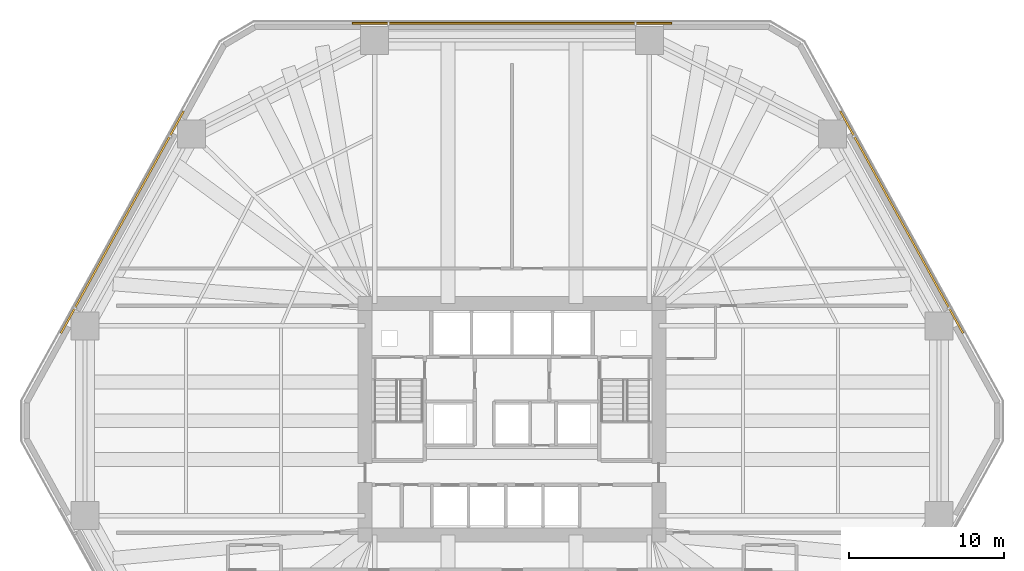
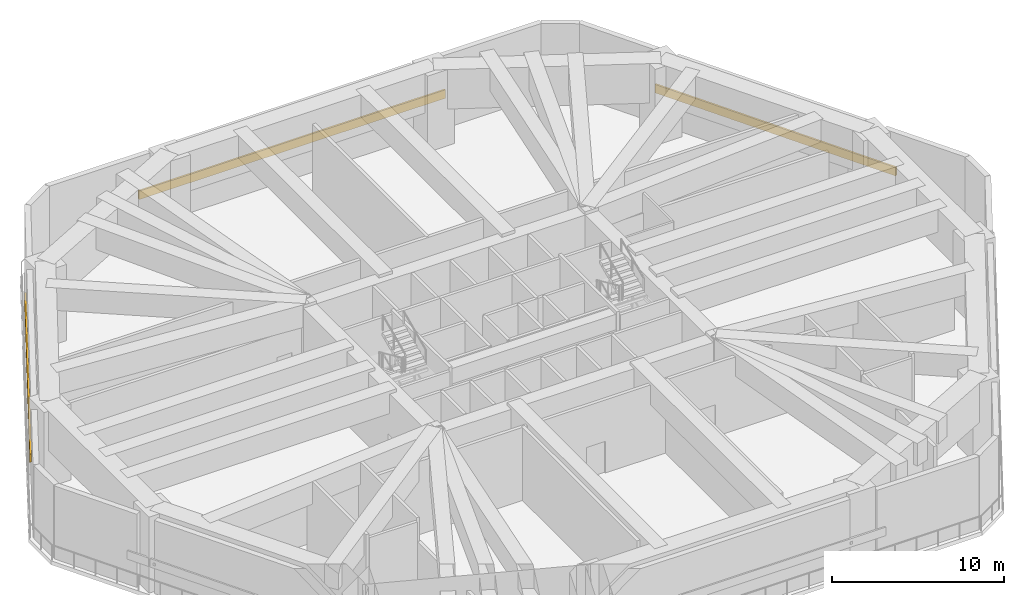
# One storey, part 12 of 12: 3 shading devices.
"""IFC4 building model written with IfcOpenShell, lengths in metres."""

from ifc_helpers import new_model, si_unit, direction, frame, origin, origin_2d, place, context, subcontext, project, spatial, rectangle, extrude, material, layer, layer_set, type_object, element, save


model = new_model("IFC4")

# Units and contexts
model_context = context("Model", 3, precision=1e-05, world=origin(), true_north=direction((0.0, 1.0)))
body_context = subcontext(model_context, "Body", "Model", "MODEL_VIEW")
ifc_project = project(units=[si_unit("LENGTHUNIT", "METRE"), si_unit("AREAUNIT", "SQUARE_METRE"), si_unit("VOLUMEUNIT", "CUBIC_METRE"), si_unit("PLANEANGLEUNIT", "RADIAN"), si_unit("MASSUNIT", "GRAM", prefix="KILO")], contexts=[model_context])

# Site, building, storey
site_placement = place(None, origin())
site = spatial("IfcSite", under=ifc_project, at=site_placement, CompositionType="ELEMENT")
building_placement = place(site_placement, origin())
building = spatial("IfcBuilding", under=site, at=building_placement, Name="Cinnabar Lancet Tower", CompositionType="ELEMENT")
storey_placement = place(building_placement, frame((0.0, 0.0, 19.5)))
storey = spatial("IfcBuildingStorey", under=building, at=storey_placement, Name="L04", CompositionType="ELEMENT", Elevation=19.5)

# Shading devices
ifc_material = material(Name="Anodized acoustic plant weather louvre", Category="aluminium")
ifc_layer = layer(ifc_material, 0.094970703125)
ifc_layer_set = layer_set([ifc_layer], Name="Anodized acoustic plant weather louvre")
shading_device_type = type_object("IfcShadingDeviceType", Name="ENV-SHD-LVR-600", PredefinedType="JALOUSIE", material=ifc_layer_set)
shading_device_1_placement = place(storey_placement, frame((57.485107421875, 38.583984375, 1.849853515625), z_axis=(0.0, 0.0, 1.0), x_axis=(-0.483694882518, 0.875236688345, 0.0)))
element("IfcShadingDevice", 1, at=shading_device_1_placement, inside=storey, type_object=shading_device_type, Name="L04 Face 3 Acoustic Plant Weather Louvre", PredefinedType="JALOUSIE", context=body_context, shape_type="SweptSolid", body=[
    extrude(rectangle(XDim=16.33203125, YDim=0.1201171875, at=origin_2d()), origin(), (0.0, 0.0, 1.0), 0.60009765625),
])
shading_device_2_placement = place(storey_placement, frame((32.39990234375, 51.3798828125, 1.849853515625), z_axis=(0.0, 0.0, 1.0), x_axis=(-1.0, 0.0, 0.0)))
element("IfcShadingDevice", 2, at=shading_device_2_placement, inside=storey, type_object=shading_device_type, Name="L04 Face 4 Acoustic Plant Weather Louvre", PredefinedType="JALOUSIE", context=body_context, shape_type="SweptSolid", body=[
    extrude(rectangle(XDim=20.551025390625, YDim=0.1201171875, at=origin_2d()), origin(), (0.0, 0.0, 1.0), 0.60009765625),
])
shading_device_3_placement = place(storey_placement, frame((7.31494140625, 38.583984375, 1.849853515625), z_axis=(0.0, 0.0, 1.0), x_axis=(-0.483694882518, -0.875236688345, 0.0)))
element("IfcShadingDevice", 3, at=shading_device_3_placement, inside=storey, type_object=shading_device_type, Name="L04 Face 5 Acoustic Plant Weather Louvre", PredefinedType="JALOUSIE", context=body_context, shape_type="SweptSolid", body=[
    extrude(rectangle(XDim=16.33203125, YDim=0.1201171875, at=origin_2d()), origin(), (0.0, 0.0, 1.0), 0.60009765625),
])

save(model, "model.ifc")
